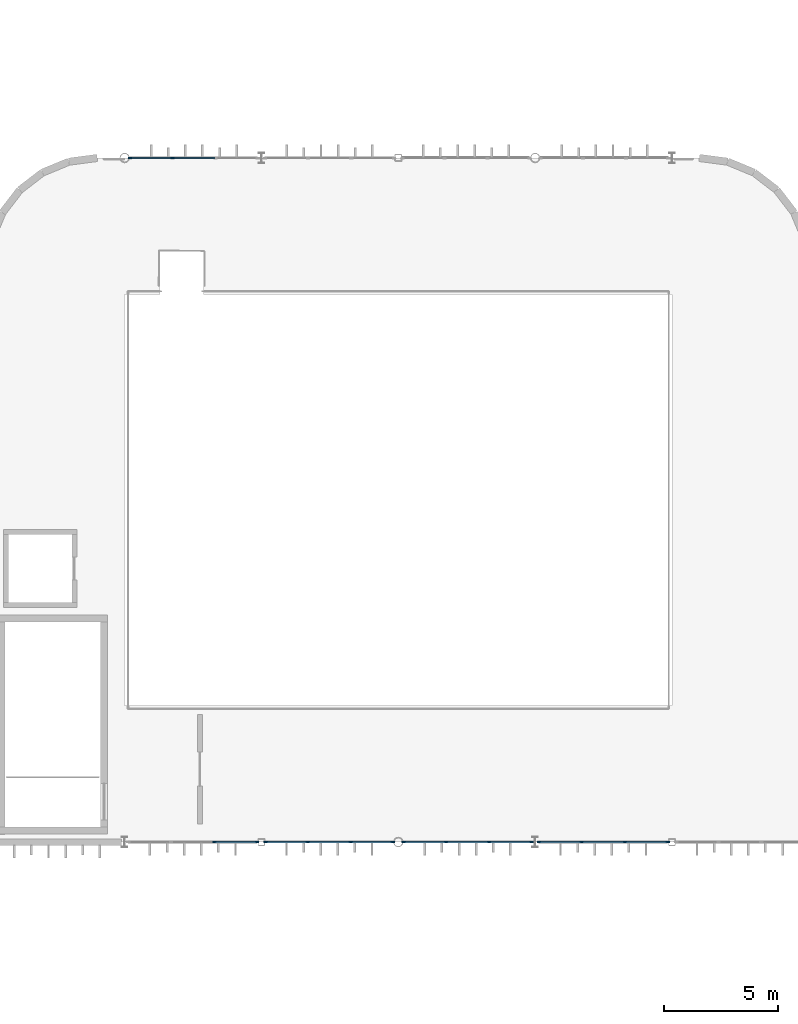
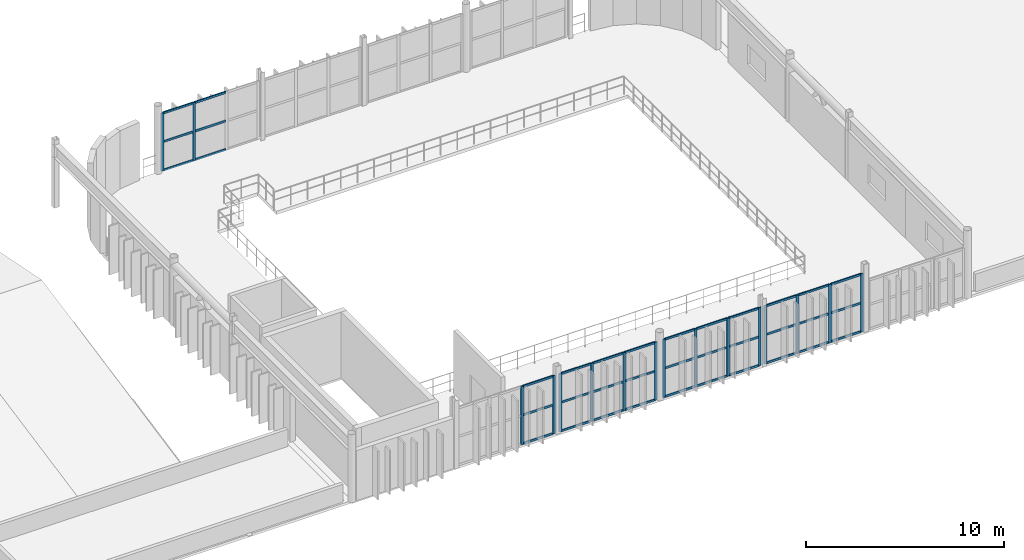
# One storey, part 41 of 83: 52 members, 5 elements without a shape of their own.
"""IFC4 building model written with IfcOpenShell, lengths in metres."""

from ifc_helpers import new_model, si_unit, direction, frame, origin, origin_2d, place, context, subcontext, project, spatial, rectangle, extrude, material, material_profile, profile_set, type_object, element, aggregate, save


model = new_model("IFC4")

# Units and contexts
model_context = context("Model", 3, precision=1e-05, world=origin(), true_north=direction((0.0, 1.0)))
body_context = subcontext(model_context, "Body", "Model", "MODEL_VIEW")
ifc_project = project(units=[si_unit("LENGTHUNIT", "METRE"), si_unit("AREAUNIT", "SQUARE_METRE"), si_unit("VOLUMEUNIT", "CUBIC_METRE"), si_unit("PLANEANGLEUNIT", "RADIAN"), si_unit("MASSUNIT", "GRAM", prefix="KILO")], contexts=[model_context])

# Site, building, storey
site_placement = place(None, origin())
site = spatial("IfcSite", under=ifc_project, at=site_placement, CompositionType="ELEMENT")
building_placement = place(site_placement, origin())
building = spatial("IfcBuilding", under=site, at=building_placement, Name="Varnakota Square Police Headquarters", CompositionType="ELEMENT")
storey_placement = place(building_placement, frame((0.0, 0.0, 18.0)))
storey = spatial("IfcBuildingStorey", under=building, at=storey_placement, Name="L04", CompositionType="ELEMENT", Elevation=18.0)

# Curtain wall, members
ifc_material_1 = material(Name="Anodised Aluminium Framing", Category="aluminium")
curtain_wall_type_1 = type_object("IfcCurtainWallType", Name="CW-SYS-B", PredefinedType="NOTDEFINED", material=ifc_material_1)
curtain_wall_1_placement = place(storey_placement, origin())
curtain_wall_1 = element("IfcCurtainWall", 1, at=curtain_wall_1_placement, inside=storey, type_object=curtain_wall_type_1, Name="Unitised curtain wall CWG-L04-254", PredefinedType="NOTDEFINED")
ifc_material_2 = material(Name="Anodised Aluminium 6063-T6", Category="aluminium")
ifc_material_profile_1 = material_profile(ifc_material_2, rectangle(XDim=0.06494140625, YDim=0.159912109375, at=origin_2d()), Name="ALU MULLION 65x160")
ifc_profile_set_1 = profile_set([ifc_material_profile_1], Name="Anodised Aluminium 6063-T6")
member_type_1 = type_object("IfcMemberType", Name="CWM-150", PredefinedType="MULLION", material=ifc_profile_set_1)
member_1_placement = place(storey_placement, frame((69.93994140625, 69.0, 0.0), z_axis=(0.0, 0.0, 1.0), x_axis=(0.0, 1.0, 0.0)))
member_1 = element("IfcMember", 2, at=member_1_placement, type_object=member_type_1, Name="CWG-L04-254 mullion 3", PredefinedType="MULLION", context=body_context, shape_type="SweptSolid", body=[
    extrude(rectangle(XDim=0.06494140625, YDim=0.159912109375, at=origin_2d()), origin(), (0.0, 0.0, 1.0), 3.590087890625),
])
member_2_placement = place(storey_placement, frame((71.8125, 69.0, 0.0), z_axis=(0.0, 0.0, 1.0), x_axis=(0.0, 1.0, 0.0)))
member_2 = element("IfcMember", 3, at=member_2_placement, type_object=member_type_1, Name="CWG-L04-254 mullion 4", PredefinedType="MULLION", context=body_context, shape_type="SweptSolid", body=[
    extrude(rectangle(XDim=0.06494140625, YDim=0.159912109375, at=origin_2d()), origin(), (0.0, 0.0, 1.0), 3.590087890625),
])

curtain_wall_2_placement = place(storey_placement, origin())
curtain_wall_2 = element("IfcCurtainWall", 4, at=curtain_wall_2_placement, inside=storey, type_object=curtain_wall_type_1, Name="Unitised curtain wall CWG-L04-255", PredefinedType="NOTDEFINED")
member_3_placement = place(storey_placement, frame((72.1875, 69.0, 0.0), z_axis=(0.0, 0.0, 1.0), x_axis=(0.0, 1.0, 0.0)))
member_3 = element("IfcMember", 5, at=member_3_placement, type_object=member_type_1, Name="CWG-L04-255 mullion 1", PredefinedType="MULLION", context=body_context, shape_type="SweptSolid", body=[
    extrude(rectangle(XDim=0.06494140625, YDim=0.159912109375, at=origin_2d()), origin(), (0.0, 0.0, 1.0), 3.590087890625),
])
member_4_placement = place(storey_placement, frame((74.033935546875, 69.0, 0.0), z_axis=(0.0, 0.0, 1.0), x_axis=(0.0, 1.0, 0.0)))
member_4 = element("IfcMember", 6, at=member_4_placement, type_object=member_type_1, Name="CWG-L04-255 mullion 2", PredefinedType="MULLION", context=body_context, shape_type="SweptSolid", body=[
    extrude(rectangle(XDim=0.06494140625, YDim=0.159912109375, at=origin_2d()), origin(), (0.0, 0.0, 1.0), 3.590087890625),
])
member_5_placement = place(storey_placement, frame((75.912841796875, 69.0, 0.0), z_axis=(0.0, 0.0, 1.0), x_axis=(0.0, 1.0, 0.0)))
member_5 = element("IfcMember", 7, at=member_5_placement, type_object=member_type_1, Name="CWG-L04-255 mullion 3", PredefinedType="MULLION", context=body_context, shape_type="SweptSolid", body=[
    extrude(rectangle(XDim=0.06494140625, YDim=0.159912109375, at=origin_2d()), origin(), (0.0, 0.0, 1.0), 3.590087890625),
])
member_6_placement = place(storey_placement, frame((77.75927734375, 69.0, 0.0), z_axis=(0.0, 0.0, 1.0), x_axis=(0.0, 1.0, 0.0)))
member_6 = element("IfcMember", 8, at=member_6_placement, type_object=member_type_1, Name="CWG-L04-255 mullion 4", PredefinedType="MULLION", context=body_context, shape_type="SweptSolid", body=[
    extrude(rectangle(XDim=0.06494140625, YDim=0.159912109375, at=origin_2d()), origin(), (0.0, 0.0, 1.0), 3.590087890625),
])

curtain_wall_3_placement = place(storey_placement, origin())
curtain_wall_3 = element("IfcCurtainWall", 9, at=curtain_wall_3_placement, inside=storey, type_object=curtain_wall_type_1, Name="Unitised curtain wall CWG-L04-256", PredefinedType="NOTDEFINED")
member_7_placement = place(storey_placement, frame((78.24072265625, 69.0, 0.0), z_axis=(0.0, 0.0, 1.0), x_axis=(0.0, 1.0, 0.0)))
member_7 = element("IfcMember", 10, at=member_7_placement, type_object=member_type_1, Name="CWG-L04-256 mullion 1", PredefinedType="MULLION", context=body_context, shape_type="SweptSolid", body=[
    extrude(rectangle(XDim=0.06494140625, YDim=0.159912109375, at=origin_2d()), origin(), (0.0, 0.0, 1.0), 3.590087890625),
])
member_8_placement = place(storey_placement, frame((80.095458984375, 69.0, 0.0), z_axis=(0.0, 0.0, 1.0), x_axis=(0.0, 1.0, 0.0)))
member_8 = element("IfcMember", 11, at=member_8_placement, type_object=member_type_1, Name="CWG-L04-256 mullion 2", PredefinedType="MULLION", context=body_context, shape_type="SweptSolid", body=[
    extrude(rectangle(XDim=0.06494140625, YDim=0.159912109375, at=origin_2d()), origin(), (0.0, 0.0, 1.0), 3.590087890625),
])
member_9_placement = place(storey_placement, frame((81.982666015625, 69.0, 0.0), z_axis=(0.0, 0.0, 1.0), x_axis=(0.0, 1.0, 0.0)))
member_9 = element("IfcMember", 12, at=member_9_placement, type_object=member_type_1, Name="CWG-L04-256 mullion 3", PredefinedType="MULLION", context=body_context, shape_type="SweptSolid", body=[
    extrude(rectangle(XDim=0.06494140625, YDim=0.159912109375, at=origin_2d()), origin(), (0.0, 0.0, 1.0), 3.590087890625),
])
member_10_placement = place(storey_placement, frame((83.83740234375, 69.0, 0.0), z_axis=(0.0, 0.0, 1.0), x_axis=(0.0, 1.0, 0.0)))
member_10 = element("IfcMember", 13, at=member_10_placement, type_object=member_type_1, Name="CWG-L04-256 mullion 4", PredefinedType="MULLION", context=body_context, shape_type="SweptSolid", body=[
    extrude(rectangle(XDim=0.06494140625, YDim=0.159912109375, at=origin_2d()), origin(), (0.0, 0.0, 1.0), 3.590087890625),
])

curtain_wall_4_placement = place(storey_placement, origin())
curtain_wall_4 = element("IfcCurtainWall", 14, at=curtain_wall_4_placement, inside=storey, type_object=curtain_wall_type_1, Name="Unitised curtain wall CWG-L04-257", PredefinedType="NOTDEFINED")
member_11_placement = place(storey_placement, frame((84.16259765625, 69.0, 0.0), z_axis=(0.0, 0.0, 1.0), x_axis=(0.0, 1.0, 0.0)))
member_11 = element("IfcMember", 15, at=member_11_placement, type_object=member_type_1, Name="CWG-L04-257 mullion 1", PredefinedType="MULLION", context=body_context, shape_type="SweptSolid", body=[
    extrude(rectangle(XDim=0.06494140625, YDim=0.159912109375, at=origin_2d()), origin(), (0.0, 0.0, 1.0), 3.590087890625),
])
member_12_placement = place(storey_placement, frame((86.034912109375, 69.0, 0.0), z_axis=(0.0, 0.0, 1.0), x_axis=(0.0, 1.0, 0.0)))
member_12 = element("IfcMember", 16, at=member_12_placement, type_object=member_type_1, Name="CWG-L04-257 mullion 2", PredefinedType="MULLION", context=body_context, shape_type="SweptSolid", body=[
    extrude(rectangle(XDim=0.06494140625, YDim=0.159912109375, at=origin_2d()), origin(), (0.0, 0.0, 1.0), 3.590087890625),
])
member_13_placement = place(storey_placement, frame((87.93994140625, 69.0, 0.0), z_axis=(0.0, 0.0, 1.0), x_axis=(0.0, 1.0, 0.0)))
member_13 = element("IfcMember", 17, at=member_13_placement, type_object=member_type_1, Name="CWG-L04-257 mullion 3", PredefinedType="MULLION", context=body_context, shape_type="SweptSolid", body=[
    extrude(rectangle(XDim=0.06494140625, YDim=0.159912109375, at=origin_2d()), origin(), (0.0, 0.0, 1.0), 3.590087890625),
])
member_14_placement = place(storey_placement, frame((89.8125, 69.0, 0.0), z_axis=(0.0, 0.0, 1.0), x_axis=(0.0, 1.0, 0.0)))
member_14 = element("IfcMember", 18, at=member_14_placement, type_object=member_type_1, Name="CWG-L04-257 mullion 4", PredefinedType="MULLION", context=body_context, shape_type="SweptSolid", body=[
    extrude(rectangle(XDim=0.06494140625, YDim=0.159912109375, at=origin_2d()), origin(), (0.0, 0.0, 1.0), 3.590087890625),
])

curtain_wall_type_2 = type_object("IfcCurtainWallType", Name="CW-SYS-C", PredefinedType="NOTDEFINED", material=ifc_material_1)
curtain_wall_5_placement = place(storey_placement, origin())
curtain_wall_5 = element("IfcCurtainWall", 19, at=curtain_wall_5_placement, inside=storey, type_object=curtain_wall_type_2, Name="Unitised curtain wall CWG-L04-259", PredefinedType="NOTDEFINED")
member_15_placement = place(storey_placement, frame((66.24072265625, 99.0, 0.0), z_axis=(0.0, 0.0, 1.0), x_axis=(0.0, 1.0, 0.0)))
member_15 = element("IfcMember", 20, at=member_15_placement, type_object=member_type_1, Name="CWG-L04-259 mullion 1", PredefinedType="MULLION", context=body_context, shape_type="SweptSolid", body=[
    extrude(rectangle(XDim=0.06494140625, YDim=0.159912109375, at=origin_2d()), origin(), (0.0, 0.0, 1.0), 3.590087890625),
])
member_16_placement = place(storey_placement, frame((68.095458984375, 99.0, 0.0), z_axis=(0.0, 0.0, 1.0), x_axis=(0.0, 1.0, 0.0)))
member_16 = element("IfcMember", 21, at=member_16_placement, type_object=member_type_1, Name="CWG-L04-259 mullion 2", PredefinedType="MULLION", context=body_context, shape_type="SweptSolid", body=[
    extrude(rectangle(XDim=0.06494140625, YDim=0.159912109375, at=origin_2d()), origin(), (0.0, 0.0, 1.0), 3.590087890625),
])

# Member
ifc_material_profile_2 = material_profile(ifc_material_2, rectangle(XDim=0.06494140625, YDim=0.1298828125, at=origin_2d()), Name="ALU TRANSOM 65x130")
ifc_profile_set_2 = profile_set([ifc_material_profile_2], Name="Anodised Aluminium 6063-T6")
member_type_2 = type_object("IfcMemberType", Name="CWT-120", PredefinedType="USERDEFINED", material=ifc_profile_set_2)
member_17_placement = place(storey_placement, frame((69.972412109375, 69.0, 0.032470703125), z_axis=(1.0, 0.0, 0.0), x_axis=(0.0, 1.0, 0.0)))
member_17 = element("IfcMember", 22, at=member_17_placement, type_object=member_type_2, Name="CWG-L04-254 transom 3.1", ObjectType="TRANSOM", PredefinedType="USERDEFINED", context=body_context, shape_type="SweptSolid", body=[
    extrude(rectangle(XDim=0.06494140625, YDim=0.1298828125, at=origin_2d()), origin(), (0.0, 0.0, 1.0), 1.8076171875),
])

member_18_placement = place(storey_placement, frame((69.972412109375, 69.0, 1.794921875), z_axis=(1.0, 0.0, 0.0), x_axis=(0.0, 1.0, 0.0)))
member_18 = element("IfcMember", 23, at=member_18_placement, type_object=member_type_2, Name="CWG-L04-254 transom 3.2", ObjectType="TRANSOM", PredefinedType="USERDEFINED", context=body_context, shape_type="SweptSolid", body=[
    extrude(rectangle(XDim=0.06494140625, YDim=0.1298828125, at=origin_2d()), origin(), (0.0, 0.0, 1.0), 1.8076171875),
])

member_19_placement = place(storey_placement, frame((69.972412109375, 69.0, 3.5576171875), z_axis=(1.0, 0.0, 0.0), x_axis=(0.0, 1.0, 0.0)))
member_19 = element("IfcMember", 24, at=member_19_placement, type_object=member_type_2, Name="CWG-L04-254 transom 3.3", ObjectType="TRANSOM", PredefinedType="USERDEFINED", context=body_context, shape_type="SweptSolid", body=[
    extrude(rectangle(XDim=0.06494140625, YDim=0.1298828125, at=origin_2d()), origin(), (0.0, 0.0, 1.0), 1.8076171875),
])

aggregate(curtain_wall_1, [member_1, member_2, member_17, member_18, member_19])

member_20_placement = place(storey_placement, frame((72.219970703125, 69.0, 0.032470703125), z_axis=(1.0, 0.0, 0.0), x_axis=(0.0, 1.0, 0.0)))
member_20 = element("IfcMember", 25, at=member_20_placement, type_object=member_type_2, Name="CWG-L04-255 transom 1.1", ObjectType="TRANSOM", PredefinedType="USERDEFINED", context=body_context, shape_type="SweptSolid", body=[
    extrude(rectangle(XDim=0.06494140625, YDim=0.1298828125, at=origin_2d()), origin(), (0.0, 0.0, 1.0), 1.781494140625),
])

member_21_placement = place(storey_placement, frame((72.219970703125, 69.0, 1.794921875), z_axis=(1.0, 0.0, 0.0), x_axis=(0.0, 1.0, 0.0)))
member_21 = element("IfcMember", 26, at=member_21_placement, type_object=member_type_2, Name="CWG-L04-255 transom 1.2", ObjectType="TRANSOM", PredefinedType="USERDEFINED", context=body_context, shape_type="SweptSolid", body=[
    extrude(rectangle(XDim=0.06494140625, YDim=0.1298828125, at=origin_2d()), origin(), (0.0, 0.0, 1.0), 1.781494140625),
])

member_22_placement = place(storey_placement, frame((72.219970703125, 69.0, 3.5576171875), z_axis=(1.0, 0.0, 0.0), x_axis=(0.0, 1.0, 0.0)))
member_22 = element("IfcMember", 27, at=member_22_placement, type_object=member_type_2, Name="CWG-L04-255 transom 1.3", ObjectType="TRANSOM", PredefinedType="USERDEFINED", context=body_context, shape_type="SweptSolid", body=[
    extrude(rectangle(XDim=0.06494140625, YDim=0.1298828125, at=origin_2d()), origin(), (0.0, 0.0, 1.0), 1.781494140625),
])

member_23_placement = place(storey_placement, frame((74.06640625, 69.0, 0.032470703125), z_axis=(1.0, 0.0, 0.0), x_axis=(0.0, 1.0, 0.0)))
member_23 = element("IfcMember", 28, at=member_23_placement, type_object=member_type_2, Name="CWG-L04-255 transom 2.1", ObjectType="TRANSOM", PredefinedType="USERDEFINED", context=body_context, shape_type="SweptSolid", body=[
    extrude(rectangle(XDim=0.06494140625, YDim=0.1298828125, at=origin_2d()), origin(), (0.0, 0.0, 1.0), 1.81396484375),
])

member_24_placement = place(storey_placement, frame((74.06640625, 69.0, 1.794921875), z_axis=(1.0, 0.0, 0.0), x_axis=(0.0, 1.0, 0.0)))
member_24 = element("IfcMember", 29, at=member_24_placement, type_object=member_type_2, Name="CWG-L04-255 transom 2.2", ObjectType="TRANSOM", PredefinedType="USERDEFINED", context=body_context, shape_type="SweptSolid", body=[
    extrude(rectangle(XDim=0.06494140625, YDim=0.1298828125, at=origin_2d()), origin(), (0.0, 0.0, 1.0), 1.81396484375),
])

member_25_placement = place(storey_placement, frame((74.06640625, 69.0, 3.5576171875), z_axis=(1.0, 0.0, 0.0), x_axis=(0.0, 1.0, 0.0)))
member_25 = element("IfcMember", 30, at=member_25_placement, type_object=member_type_2, Name="CWG-L04-255 transom 2.3", ObjectType="TRANSOM", PredefinedType="USERDEFINED", context=body_context, shape_type="SweptSolid", body=[
    extrude(rectangle(XDim=0.06494140625, YDim=0.1298828125, at=origin_2d()), origin(), (0.0, 0.0, 1.0), 1.81396484375),
])

member_26_placement = place(storey_placement, frame((75.9453125, 69.0, 0.032470703125), z_axis=(1.0, 0.0, 0.0), x_axis=(0.0, 1.0, 0.0)))
member_26 = element("IfcMember", 31, at=member_26_placement, type_object=member_type_2, Name="CWG-L04-255 transom 3.1", ObjectType="TRANSOM", PredefinedType="USERDEFINED", context=body_context, shape_type="SweptSolid", body=[
    extrude(rectangle(XDim=0.06494140625, YDim=0.1298828125, at=origin_2d()), origin(), (0.0, 0.0, 1.0), 1.781494140625),
])

member_27_placement = place(storey_placement, frame((75.9453125, 69.0, 1.794921875), z_axis=(1.0, 0.0, 0.0), x_axis=(0.0, 1.0, 0.0)))
member_27 = element("IfcMember", 32, at=member_27_placement, type_object=member_type_2, Name="CWG-L04-255 transom 3.2", ObjectType="TRANSOM", PredefinedType="USERDEFINED", context=body_context, shape_type="SweptSolid", body=[
    extrude(rectangle(XDim=0.06494140625, YDim=0.1298828125, at=origin_2d()), origin(), (0.0, 0.0, 1.0), 1.781494140625),
])

member_28_placement = place(storey_placement, frame((75.9453125, 69.0, 3.5576171875), z_axis=(1.0, 0.0, 0.0), x_axis=(0.0, 1.0, 0.0)))
member_28 = element("IfcMember", 33, at=member_28_placement, type_object=member_type_2, Name="CWG-L04-255 transom 3.3", ObjectType="TRANSOM", PredefinedType="USERDEFINED", context=body_context, shape_type="SweptSolid", body=[
    extrude(rectangle(XDim=0.06494140625, YDim=0.1298828125, at=origin_2d()), origin(), (0.0, 0.0, 1.0), 1.781494140625),
])

aggregate(curtain_wall_2, [member_3, member_4, member_5, member_6, member_20, member_21, member_22, member_23, member_24, member_25, member_26, member_27, member_28])

member_29_placement = place(storey_placement, frame((78.273193359375, 69.0, 0.032470703125), z_axis=(1.0, 0.0, 0.0), x_axis=(0.0, 1.0, 0.0)))
member_29 = element("IfcMember", 34, at=member_29_placement, type_object=member_type_2, Name="CWG-L04-256 transom 1.1", ObjectType="TRANSOM", PredefinedType="USERDEFINED", context=body_context, shape_type="SweptSolid", body=[
    extrude(rectangle(XDim=0.06494140625, YDim=0.1298828125, at=origin_2d()), origin(), (0.0, 0.0, 1.0), 1.789794921875),
])

member_30_placement = place(storey_placement, frame((78.273193359375, 69.0, 1.794921875), z_axis=(1.0, 0.0, 0.0), x_axis=(0.0, 1.0, 0.0)))
member_30 = element("IfcMember", 35, at=member_30_placement, type_object=member_type_2, Name="CWG-L04-256 transom 1.2", ObjectType="TRANSOM", PredefinedType="USERDEFINED", context=body_context, shape_type="SweptSolid", body=[
    extrude(rectangle(XDim=0.06494140625, YDim=0.1298828125, at=origin_2d()), origin(), (0.0, 0.0, 1.0), 1.789794921875),
])

member_31_placement = place(storey_placement, frame((78.273193359375, 69.0, 3.5576171875), z_axis=(1.0, 0.0, 0.0), x_axis=(0.0, 1.0, 0.0)))
member_31 = element("IfcMember", 36, at=member_31_placement, type_object=member_type_2, Name="CWG-L04-256 transom 1.3", ObjectType="TRANSOM", PredefinedType="USERDEFINED", context=body_context, shape_type="SweptSolid", body=[
    extrude(rectangle(XDim=0.06494140625, YDim=0.1298828125, at=origin_2d()), origin(), (0.0, 0.0, 1.0), 1.789794921875),
])

member_32_placement = place(storey_placement, frame((80.1279296875, 69.0, 0.032470703125), z_axis=(1.0, 0.0, 0.0), x_axis=(0.0, 1.0, 0.0)))
member_32 = element("IfcMember", 37, at=member_32_placement, type_object=member_type_2, Name="CWG-L04-256 transom 2.1", ObjectType="TRANSOM", PredefinedType="USERDEFINED", context=body_context, shape_type="SweptSolid", body=[
    extrude(rectangle(XDim=0.06494140625, YDim=0.1298828125, at=origin_2d()), origin(), (0.0, 0.0, 1.0), 1.822265625),
])

member_33_placement = place(storey_placement, frame((80.1279296875, 69.0, 1.794921875), z_axis=(1.0, 0.0, 0.0), x_axis=(0.0, 1.0, 0.0)))
member_33 = element("IfcMember", 38, at=member_33_placement, type_object=member_type_2, Name="CWG-L04-256 transom 2.2", ObjectType="TRANSOM", PredefinedType="USERDEFINED", context=body_context, shape_type="SweptSolid", body=[
    extrude(rectangle(XDim=0.06494140625, YDim=0.1298828125, at=origin_2d()), origin(), (0.0, 0.0, 1.0), 1.822265625),
])

member_34_placement = place(storey_placement, frame((80.1279296875, 69.0, 3.5576171875), z_axis=(1.0, 0.0, 0.0), x_axis=(0.0, 1.0, 0.0)))
member_34 = element("IfcMember", 39, at=member_34_placement, type_object=member_type_2, Name="CWG-L04-256 transom 2.3", ObjectType="TRANSOM", PredefinedType="USERDEFINED", context=body_context, shape_type="SweptSolid", body=[
    extrude(rectangle(XDim=0.06494140625, YDim=0.1298828125, at=origin_2d()), origin(), (0.0, 0.0, 1.0), 1.822265625),
])

member_35_placement = place(storey_placement, frame((82.01513671875, 69.0, 0.032470703125), z_axis=(1.0, 0.0, 0.0), x_axis=(0.0, 1.0, 0.0)))
member_35 = element("IfcMember", 40, at=member_35_placement, type_object=member_type_2, Name="CWG-L04-256 transom 3.1", ObjectType="TRANSOM", PredefinedType="USERDEFINED", context=body_context, shape_type="SweptSolid", body=[
    extrude(rectangle(XDim=0.06494140625, YDim=0.1298828125, at=origin_2d()), origin(), (0.0, 0.0, 1.0), 1.789794921875),
])

member_36_placement = place(storey_placement, frame((82.01513671875, 69.0, 1.794921875), z_axis=(1.0, 0.0, 0.0), x_axis=(0.0, 1.0, 0.0)))
member_36 = element("IfcMember", 41, at=member_36_placement, type_object=member_type_2, Name="CWG-L04-256 transom 3.2", ObjectType="TRANSOM", PredefinedType="USERDEFINED", context=body_context, shape_type="SweptSolid", body=[
    extrude(rectangle(XDim=0.06494140625, YDim=0.1298828125, at=origin_2d()), origin(), (0.0, 0.0, 1.0), 1.789794921875),
])

member_37_placement = place(storey_placement, frame((82.01513671875, 69.0, 3.5576171875), z_axis=(1.0, 0.0, 0.0), x_axis=(0.0, 1.0, 0.0)))
member_37 = element("IfcMember", 42, at=member_37_placement, type_object=member_type_2, Name="CWG-L04-256 transom 3.3", ObjectType="TRANSOM", PredefinedType="USERDEFINED", context=body_context, shape_type="SweptSolid", body=[
    extrude(rectangle(XDim=0.06494140625, YDim=0.1298828125, at=origin_2d()), origin(), (0.0, 0.0, 1.0), 1.789794921875),
])

aggregate(curtain_wall_3, [member_7, member_8, member_9, member_10, member_29, member_30, member_31, member_32, member_33, member_34, member_35, member_36, member_37])

member_38_placement = place(storey_placement, frame((84.195068359375, 69.0, 0.032470703125), z_axis=(1.0, 0.0, 0.0), x_axis=(0.0, 1.0, 0.0)))
member_38 = element("IfcMember", 43, at=member_38_placement, type_object=member_type_2, Name="CWG-L04-257 transom 1.1", ObjectType="TRANSOM", PredefinedType="USERDEFINED", context=body_context, shape_type="SweptSolid", body=[
    extrude(rectangle(XDim=0.06494140625, YDim=0.1298828125, at=origin_2d()), origin(), (0.0, 0.0, 1.0), 1.807373046875),
])

member_39_placement = place(storey_placement, frame((84.195068359375, 69.0, 1.794921875), z_axis=(1.0, 0.0, 0.0), x_axis=(0.0, 1.0, 0.0)))
member_39 = element("IfcMember", 44, at=member_39_placement, type_object=member_type_2, Name="CWG-L04-257 transom 1.2", ObjectType="TRANSOM", PredefinedType="USERDEFINED", context=body_context, shape_type="SweptSolid", body=[
    extrude(rectangle(XDim=0.06494140625, YDim=0.1298828125, at=origin_2d()), origin(), (0.0, 0.0, 1.0), 1.807373046875),
])

member_40_placement = place(storey_placement, frame((84.195068359375, 69.0, 3.5576171875), z_axis=(1.0, 0.0, 0.0), x_axis=(0.0, 1.0, 0.0)))
member_40 = element("IfcMember", 45, at=member_40_placement, type_object=member_type_2, Name="CWG-L04-257 transom 1.3", ObjectType="TRANSOM", PredefinedType="USERDEFINED", context=body_context, shape_type="SweptSolid", body=[
    extrude(rectangle(XDim=0.06494140625, YDim=0.1298828125, at=origin_2d()), origin(), (0.0, 0.0, 1.0), 1.807373046875),
])

member_41_placement = place(storey_placement, frame((86.0673828125, 69.0, 0.032470703125), z_axis=(1.0, 0.0, 0.0), x_axis=(0.0, 1.0, 0.0)))
member_41 = element("IfcMember", 46, at=member_41_placement, type_object=member_type_2, Name="CWG-L04-257 transom 2.1", ObjectType="TRANSOM", PredefinedType="USERDEFINED", context=body_context, shape_type="SweptSolid", body=[
    extrude(rectangle(XDim=0.06494140625, YDim=0.1298828125, at=origin_2d()), origin(), (0.0, 0.0, 1.0), 1.840087890625),
])

member_42_placement = place(storey_placement, frame((86.0673828125, 69.0, 1.794921875), z_axis=(1.0, 0.0, 0.0), x_axis=(0.0, 1.0, 0.0)))
member_42 = element("IfcMember", 47, at=member_42_placement, type_object=member_type_2, Name="CWG-L04-257 transom 2.2", ObjectType="TRANSOM", PredefinedType="USERDEFINED", context=body_context, shape_type="SweptSolid", body=[
    extrude(rectangle(XDim=0.06494140625, YDim=0.1298828125, at=origin_2d()), origin(), (0.0, 0.0, 1.0), 1.840087890625),
])

member_43_placement = place(storey_placement, frame((86.0673828125, 69.0, 3.5576171875), z_axis=(1.0, 0.0, 0.0), x_axis=(0.0, 1.0, 0.0)))
member_43 = element("IfcMember", 48, at=member_43_placement, type_object=member_type_2, Name="CWG-L04-257 transom 2.3", ObjectType="TRANSOM", PredefinedType="USERDEFINED", context=body_context, shape_type="SweptSolid", body=[
    extrude(rectangle(XDim=0.06494140625, YDim=0.1298828125, at=origin_2d()), origin(), (0.0, 0.0, 1.0), 1.840087890625),
])

member_44_placement = place(storey_placement, frame((87.972412109375, 69.0, 0.032470703125), z_axis=(1.0, 0.0, 0.0), x_axis=(0.0, 1.0, 0.0)))
member_44 = element("IfcMember", 49, at=member_44_placement, type_object=member_type_2, Name="CWG-L04-257 transom 3.1", ObjectType="TRANSOM", PredefinedType="USERDEFINED", context=body_context, shape_type="SweptSolid", body=[
    extrude(rectangle(XDim=0.06494140625, YDim=0.1298828125, at=origin_2d()), origin(), (0.0, 0.0, 1.0), 1.8076171875),
])

member_45_placement = place(storey_placement, frame((87.972412109375, 69.0, 1.794921875), z_axis=(1.0, 0.0, 0.0), x_axis=(0.0, 1.0, 0.0)))
member_45 = element("IfcMember", 50, at=member_45_placement, type_object=member_type_2, Name="CWG-L04-257 transom 3.2", ObjectType="TRANSOM", PredefinedType="USERDEFINED", context=body_context, shape_type="SweptSolid", body=[
    extrude(rectangle(XDim=0.06494140625, YDim=0.1298828125, at=origin_2d()), origin(), (0.0, 0.0, 1.0), 1.8076171875),
])

member_46_placement = place(storey_placement, frame((87.972412109375, 69.0, 3.5576171875), z_axis=(1.0, 0.0, 0.0), x_axis=(0.0, 1.0, 0.0)))
member_46 = element("IfcMember", 51, at=member_46_placement, type_object=member_type_2, Name="CWG-L04-257 transom 3.3", ObjectType="TRANSOM", PredefinedType="USERDEFINED", context=body_context, shape_type="SweptSolid", body=[
    extrude(rectangle(XDim=0.06494140625, YDim=0.1298828125, at=origin_2d()), origin(), (0.0, 0.0, 1.0), 1.8076171875),
])

aggregate(curtain_wall_4, [member_11, member_12, member_13, member_14, member_38, member_39, member_40, member_41, member_42, member_43, member_44, member_45, member_46])

member_47_placement = place(storey_placement, frame((66.273193359375, 99.0, 0.032470703125), z_axis=(1.0, 0.0, 0.0), x_axis=(0.0, 1.0, 0.0)))
member_47 = element("IfcMember", 52, at=member_47_placement, type_object=member_type_2, Name="CWG-L04-259 transom 1.1", ObjectType="TRANSOM", PredefinedType="USERDEFINED", context=body_context, shape_type="SweptSolid", body=[
    extrude(rectangle(XDim=0.06494140625, YDim=0.1298828125, at=origin_2d()), origin(), (0.0, 0.0, 1.0), 1.789794921875),
])

member_48_placement = place(storey_placement, frame((66.273193359375, 99.0, 1.794921875), z_axis=(1.0, 0.0, 0.0), x_axis=(0.0, 1.0, 0.0)))
member_48 = element("IfcMember", 53, at=member_48_placement, type_object=member_type_2, Name="CWG-L04-259 transom 1.2", ObjectType="TRANSOM", PredefinedType="USERDEFINED", context=body_context, shape_type="SweptSolid", body=[
    extrude(rectangle(XDim=0.06494140625, YDim=0.1298828125, at=origin_2d()), origin(), (0.0, 0.0, 1.0), 1.789794921875),
])

member_49_placement = place(storey_placement, frame((66.273193359375, 99.0, 3.5576171875), z_axis=(1.0, 0.0, 0.0), x_axis=(0.0, 1.0, 0.0)))
member_49 = element("IfcMember", 54, at=member_49_placement, type_object=member_type_2, Name="CWG-L04-259 transom 1.3", ObjectType="TRANSOM", PredefinedType="USERDEFINED", context=body_context, shape_type="SweptSolid", body=[
    extrude(rectangle(XDim=0.06494140625, YDim=0.1298828125, at=origin_2d()), origin(), (0.0, 0.0, 1.0), 1.789794921875),
])

member_50_placement = place(storey_placement, frame((68.1279296875, 99.0, 0.032470703125), z_axis=(1.0, 0.0, 0.0), x_axis=(0.0, 1.0, 0.0)))
member_50 = element("IfcMember", 55, at=member_50_placement, type_object=member_type_2, Name="CWG-L04-259 transom 2.1", ObjectType="TRANSOM", PredefinedType="USERDEFINED", context=body_context, shape_type="SweptSolid", body=[
    extrude(rectangle(XDim=0.06494140625, YDim=0.1298828125, at=origin_2d()), origin(), (0.0, 0.0, 1.0), 1.822265625),
])

member_51_placement = place(storey_placement, frame((68.1279296875, 99.0, 1.794921875), z_axis=(1.0, 0.0, 0.0), x_axis=(0.0, 1.0, 0.0)))
member_51 = element("IfcMember", 56, at=member_51_placement, type_object=member_type_2, Name="CWG-L04-259 transom 2.2", ObjectType="TRANSOM", PredefinedType="USERDEFINED", context=body_context, shape_type="SweptSolid", body=[
    extrude(rectangle(XDim=0.06494140625, YDim=0.1298828125, at=origin_2d()), origin(), (0.0, 0.0, 1.0), 1.822265625),
])

member_52_placement = place(storey_placement, frame((68.1279296875, 99.0, 3.5576171875), z_axis=(1.0, 0.0, 0.0), x_axis=(0.0, 1.0, 0.0)))
member_52 = element("IfcMember", 57, at=member_52_placement, type_object=member_type_2, Name="CWG-L04-259 transom 2.3", ObjectType="TRANSOM", PredefinedType="USERDEFINED", context=body_context, shape_type="SweptSolid", body=[
    extrude(rectangle(XDim=0.06494140625, YDim=0.1298828125, at=origin_2d()), origin(), (0.0, 0.0, 1.0), 1.822265625),
])

aggregate(curtain_wall_5, [member_15, member_16, member_47, member_48, member_49, member_50, member_51, member_52])

save(model, "model.ifc")
